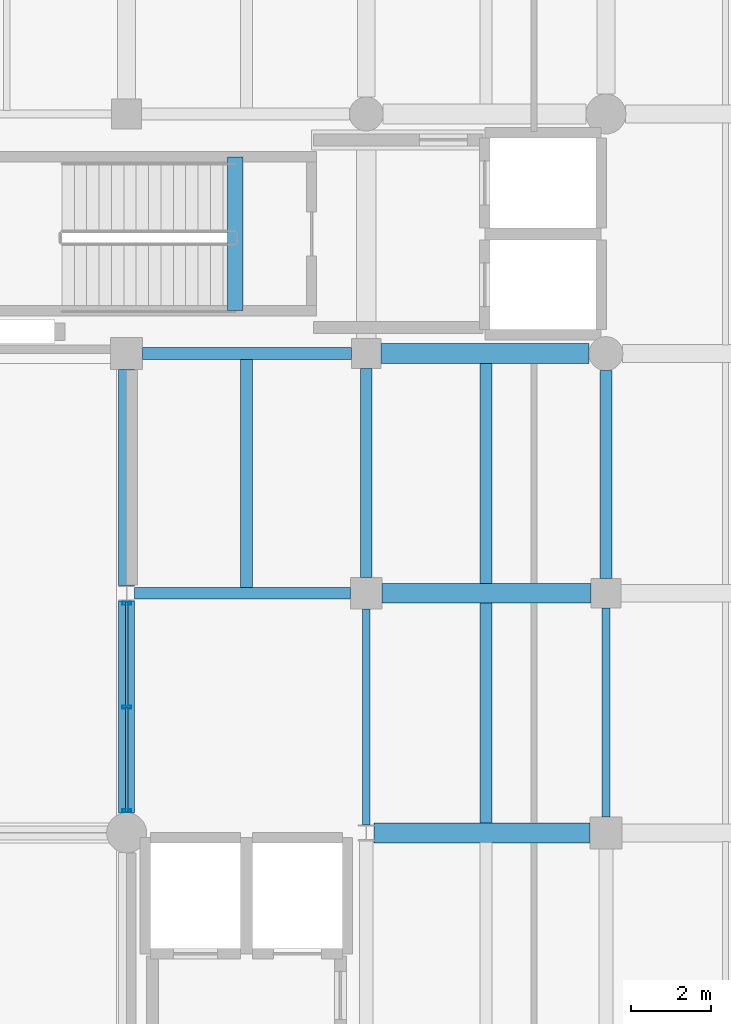
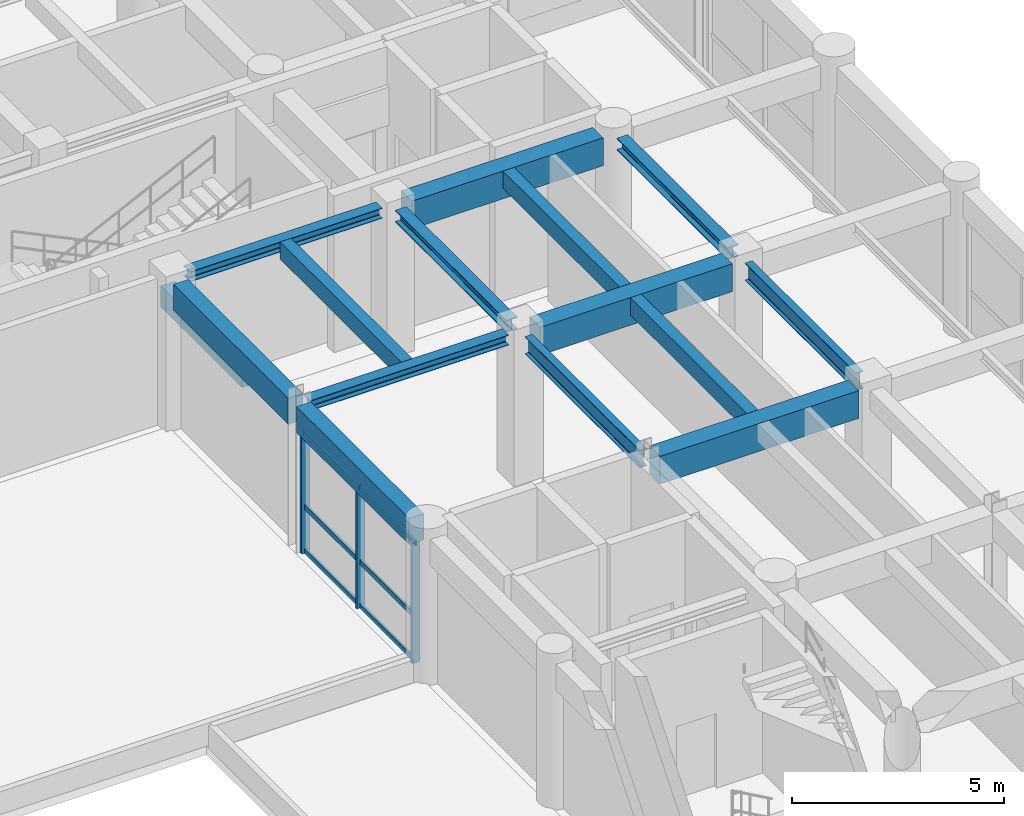
# One storey, part 82 of 133: 15 beams, 9 members, 1 element without a shape of its own.
"""IFC4 building model written with IfcOpenShell, lengths in metres."""

import ifcopenshell
import ifcopenshell.guid

model = None  # the IFC model being written
_history = None  # IfcOwnerHistory: only IFC2X3 demands one
_inside = {}  # id of a spatial element -> (the spatial element, [elements in it])
_under = {}  # id of a project, library or spatial element -> (it, [spatial elements below it])
_declared = {}  # id of a project -> (the project, [libraries it declares])
_typed = {}  # id of a type object -> (the type object, [elements of that type])
_made_of = {}  # id of a material, layer set ... -> (it, [elements and type objects made of it])


def new_model(schema):
    """Start an empty IFC model of exactly this schema.

    Asked for "IFC4X3", IfcOpenShell would pick the latest addendum, in which some entities
    have other attributes; the version numbers below select the first issue.
    IFC2X3 requires an IfcOwnerHistory on every rooted entity: one is made here for all.
    """
    global model, _history
    if schema == "IFC4X3":
        model = ifcopenshell.file(schema_version=(4, 3, 0, 0))
    else:
        model = ifcopenshell.file(schema=schema)
    _inside.clear()
    _under.clear()
    _declared.clear()
    _typed.clear()
    _made_of.clear()
    _history = None
    if model.schema == "IFC2X3":
        org = make("IfcOrganization", Name="unknown")
        user = make(
            "IfcPersonAndOrganization",
            ThePerson=make("IfcPerson", FamilyName="unknown"),
            TheOrganization=org,
        )
        app = make(
            "IfcApplication",
            ApplicationDeveloper=org,
            Version="unknown",
            ApplicationFullName="unknown",
            ApplicationIdentifier="unknown",
        )
        _history = make(
            "IfcOwnerHistory",
            OwningUser=user,
            OwningApplication=app,
            ChangeAction="ADDED",
            CreationDate=0,
        )
    return model


def make(cls, **values):
    """One entity of the class cls with the attributes given. An attribute that is None is left unset."""
    return model.create_entity(
        cls, **{name: value for name, value in values.items() if value is not None}
    )


def rooted(cls, **values):
    """An entity with a GlobalId (a new one), such as an element, a storey or a relation."""
    return make(cls, GlobalId=ifcopenshell.guid.new(), OwnerHistory=_history, **values)


def si_unit(unit_type, name, prefix=None):
    """IfcSIUnit, for example si_unit("LENGTHUNIT", "METRE", prefix="MILLI")."""
    return make("IfcSIUnit", UnitType=unit_type, Prefix=prefix, Name=name)


def assignment(units):
    """IfcUnitAssignment: the units of a project."""
    return None if units is None else make("IfcUnitAssignment", Units=units)


def point(xyz):
    """IfcCartesianPoint."""
    return None if xyz is None else make("IfcCartesianPoint", Coordinates=xyz)


def direction(xyz):
    """IfcDirection."""
    return None if xyz is None else make("IfcDirection", DirectionRatios=xyz)


def frame(location, z_axis=None, x_axis=None):
    """IfcAxis2Placement3D, a coordinate frame: its origin and axes. An axis left out is left unset."""
    return make(
        "IfcAxis2Placement3D",
        Location=point(location),
        Axis=direction(z_axis),
        RefDirection=direction(x_axis),
    )


def frame_2d(location, x_axis=None):
    """IfcAxis2Placement2D, a coordinate frame in the plane: its origin and x axis."""
    return make(
        "IfcAxis2Placement2D", Location=point(location), RefDirection=direction(x_axis)
    )


def origin():
    """The frame at (0, 0, 0) with its axes left unset."""
    return frame((0.0, 0.0, 0.0))


def origin_2d():
    """The frame at (0, 0) in the plane with its x axis left unset."""
    return frame_2d((0.0, 0.0))


def place(relative_to, where):
    """IfcLocalPlacement: puts the frame where relative to a parent placement (None: the world)."""
    return make(
        "IfcLocalPlacement", PlacementRelTo=relative_to, RelativePlacement=where
    )


def context(
    kind, dimensions, precision=None, world=None, true_north=None, identifier=None
):
    """IfcGeometricRepresentationContext, for example the 3D "Model" context."""
    return make(
        "IfcGeometricRepresentationContext",
        ContextIdentifier=identifier,
        ContextType=kind,
        CoordinateSpaceDimension=dimensions,
        Precision=precision,
        WorldCoordinateSystem=world,
        TrueNorth=true_north,
    )


def subcontext(parent, identifier, kind, view, scale=None):
    """IfcGeometricRepresentationSubContext, for example "Body" below "Model"."""
    return make(
        "IfcGeometricRepresentationSubContext",
        ContextIdentifier=identifier,
        ContextType=kind,
        ParentContext=parent,
        TargetScale=scale,
        TargetView=view,
    )


def project(units=None, contexts=None):
    """IfcProject with its units and contexts."""
    return rooted(
        "IfcProject",
        Name="project",
        RepresentationContexts=contexts,
        UnitsInContext=assignment(units),
    )


def spatial(cls, under=None, at=None, **own):
    """A site, building, storey or space (cls), placed at a placement, below another one or the project."""
    s = rooted(cls, ObjectPlacement=at, **own)
    if under is not None:
        _under.setdefault(under.id(), (under, []))[1].append(s)
    return s


def profile(cls, at=None, kind="AREA", **sizes):
    """A parametric profile (cls). Its sizes go by their IFC names, for example OverallWidth=200.0."""
    return make(cls, ProfileType=kind, Position=at, **sizes)


def rectangle(**sizes):
    """IfcRectangleProfileDef."""
    return profile("IfcRectangleProfileDef", **sizes)


def hollow_rectangle(**sizes):
    """IfcRectangleHollowProfileDef."""
    return profile("IfcRectangleHollowProfileDef", **sizes)


def i_section(**sizes):
    """IfcIShapeProfileDef."""
    return profile("IfcIShapeProfileDef", **sizes)


def extrude(swept, where, along, depth):
    """IfcExtrudedAreaSolid: the profile swept, set in the frame where, extruded along a direction by depth."""
    return make(
        "IfcExtrudedAreaSolid",
        SweptArea=swept,
        Position=where,
        ExtrudedDirection=direction(along),
        Depth=depth,
    )


def shape(context_of_items, identifier, shape_type, items):
    """IfcShapeRepresentation: the items that make up one representation, for example the "Body"."""
    return make(
        "IfcShapeRepresentation",
        ContextOfItems=context_of_items,
        RepresentationIdentifier=identifier,
        RepresentationType=shape_type,
        Items=items,
    )


def material(Name=None, Category=None):
    """IfcMaterial."""
    return make("IfcMaterial", Name=Name, Category=Category)


def material_profile(
    of_material, cross_section, Name=None, Category=None, Priority=None
):
    """IfcMaterialProfile: a cross section and its material."""
    return make(
        "IfcMaterialProfile",
        Name=Name,
        Material=of_material,
        Profile=cross_section,
        Priority=Priority,
        Category=Category,
    )


def profile_set(profiles, Name=None, composite=None):
    """IfcMaterialProfileSet."""
    return make(
        "IfcMaterialProfileSet",
        Name=Name,
        MaterialProfiles=profiles,
        CompositeProfile=composite,
    )


def made_of(thing, what):
    """Note that an element or type object is made of a material, layer set ...; save() writes the relation."""
    if what is not None:
        _made_of.setdefault(what.id(), (what, []))[1].append(thing)
    return thing


def type_object(cls, material=None, **own):
    """A type object (cls), such as IfcWallType, which elements share."""
    return made_of(rooted(cls, **own), material)


def element(
    cls,
    number,
    at=None,
    inside=None,
    cuts=None,
    type_object=None,
    material=None,
    context=None,
    identifier="Body",
    shape_type=None,
    held_by="IfcProductDefinitionShape",
    body=None,
    shapes=None,
    **own,
):
    """One element of the class cls, such as IfcWall. Its Tag is "e" and its number.

    at: its placement. inside: the storey or other place that contains it. cuts: it is an
    opening in that element (IfcRelVoidsElement). A single representation is given by context,
    identifier, shape_type and body (its items); several are given by shapes. held_by: the class
    of the entity that holds the representations. save() writes the other relations.
    """
    e = rooted(cls, Tag="e%d" % number, ObjectPlacement=at, **own)
    if body is not None:
        shapes = [shape(context, identifier, shape_type, body)]
    if shapes is not None:
        e.Representation = make(held_by, Representations=shapes)
    if inside is not None:
        _inside.setdefault(inside.id(), (inside, []))[1].append(e)
    if cuts is not None:
        rooted(
            "IfcRelVoidsElement", RelatingBuildingElement=cuts, RelatedOpeningElement=e
        )
    if type_object is not None:
        _typed.setdefault(type_object.id(), (type_object, []))[1].append(e)
    return made_of(e, material)


def aggregate(whole, parts):
    """IfcRelAggregates: a whole, such as a stair, and the parts it consists of."""
    return rooted("IfcRelAggregates", RelatingObject=whole, RelatedObjects=parts)


def save(model, path):
    """Write the relations noted so far, then the file.

    IfcRelAggregates (storeys below a building ...), IfcRelContainedInSpatialStructure (elements
    in a storey), IfcRelDefinesByType, IfcRelAssociatesMaterial and IfcRelDeclares: one each for
    every whole, place, type object, material and project.
    """
    for whole, parts in _under.values():
        aggregate(whole, parts)
    for where, things in _inside.values():
        rooted(
            "IfcRelContainedInSpatialStructure",
            RelatedElements=things,
            RelatingStructure=where,
        )
    for kind, things in _typed.values():
        rooted("IfcRelDefinesByType", RelatedObjects=things, RelatingType=kind)
    for what, things in _made_of.values():
        rooted("IfcRelAssociatesMaterial", RelatedObjects=things, RelatingMaterial=what)
    for by, libraries in _declared.values():
        rooted("IfcRelDeclares", RelatingContext=by, RelatedDefinitions=libraries)
    model.write(path)


model = new_model("IFC4")

# Units and contexts
model_context = context("Model", 3, precision=1e-05, world=origin(), true_north=direction((0.0, 1.0)))
body_context = subcontext(model_context, "Body", "Model", "MODEL_VIEW")
ifc_project = project(units=[si_unit("LENGTHUNIT", "METRE"), si_unit("AREAUNIT", "SQUARE_METRE"), si_unit("VOLUMEUNIT", "CUBIC_METRE"), si_unit("PLANEANGLEUNIT", "RADIAN"), si_unit("MASSUNIT", "GRAM", prefix="KILO"), si_unit("THERMODYNAMICTEMPERATUREUNIT", "KELVIN"), si_unit("POWERUNIT", "WATT")], contexts=[model_context])

# Site, building, storey
site_placement = place(None, origin())
site = spatial("IfcSite", under=ifc_project, at=site_placement, CompositionType="ELEMENT")
building_placement = place(site_placement, origin())
building = spatial("IfcBuilding", under=site, at=building_placement, Name="Phaisarnlok Congress Hotel", CompositionType="ELEMENT")
storey_placement = place(building_placement, frame((0.0, 0.0, 6.0)))
storey = spatial("IfcBuildingStorey", under=building, at=storey_placement, Name="L01", CompositionType="ELEMENT", Elevation=6.0)

# Beams
ifc_material_1 = material(Name="Concrete C40/50", Category="concrete")
ifc_material_profile_1 = material_profile(ifc_material_1, rectangle(XDim=0.39990234375, YDim=0.60009765625, at=origin_2d()), Name="RC 400x600")
ifc_profile_set_1 = profile_set([ifc_material_profile_1], Name="Concrete C40/50")
beam_type_1 = type_object("IfcBeamType", Name="BM-RC-400x600", PredefinedType="BEAM", material=ifc_profile_set_1)
beam_1_placement = place(storey_placement, frame((164.719970703125, 109.080078125, -0.300048828125), z_axis=(0.0, 1.0, 0.0), x_axis=(-1.0, 0.0, 0.0)))
element("IfcBeam", 1, at=beam_1_placement, inside=storey, type_object=beam_type_1, Name="Stair landing header beam B-02 (CORE-1 L01)", PredefinedType="BEAM", context=body_context, shape_type="SweptSolid", body=[
    extrude(rectangle(XDim=0.39990234375, YDim=0.60009765625, at=origin_2d()), origin(), (0.0, 0.0, 1.0), 3.83984375),
])
ifc_material_profile_2 = material_profile(ifc_material_1, rectangle(XDim=0.5, YDim=0.800048828125, at=origin_2d()), Name="RC 500x800")
ifc_profile_set_2 = profile_set([ifc_material_profile_2], Name="Concrete C40/50")
beam_type_2 = type_object("IfcBeamType", Name="BM-RC-500x800", PredefinedType="BEAM", material=ifc_profile_set_2)
beam_2_placement = place(storey_placement, frame((168.195556640625, 96.0, 3.820068359375), z_axis=(1.0, 0.0, 0.0), x_axis=(0.0, 1.0, 0.0)))
element("IfcBeam", 2, at=beam_2_placement, inside=storey, type_object=beam_type_2, Name="Beam B-04", PredefinedType="BEAM", context=body_context, shape_type="SweptSolid", body=[
    extrude(rectangle(XDim=0.5, YDim=0.800048828125, at=origin_2d()), origin(), (0.0, 0.0, 1.0), 5.409423828125),
])
beam_3_placement = place(storey_placement, frame((168.39501953125, 102.0, 3.820068359375), z_axis=(1.0, 0.0, 0.0), x_axis=(0.0, 1.0, 0.0)))
element("IfcBeam", 3, at=beam_3_placement, inside=storey, type_object=beam_type_2, Name="Beam B-04", PredefinedType="BEAM", context=body_context, shape_type="SweptSolid", body=[
    extrude(rectangle(XDim=0.5, YDim=0.800048828125, at=origin_2d()), origin(), (0.0, 0.0, 1.0), 5.23486328125),
])
beam_4_placement = place(storey_placement, frame((168.3701171875, 108.0, 3.820068359375), z_axis=(1.0, 0.0, 0.0), x_axis=(0.0, 1.0, 0.0)))
element("IfcBeam", 4, at=beam_4_placement, inside=storey, type_object=beam_type_2, Name="Beam B-04", PredefinedType="BEAM", context=body_context, shape_type="SweptSolid", body=[
    extrude(rectangle(XDim=0.5, YDim=0.800048828125, at=origin_2d()), origin(), (0.0, 0.0, 1.0), 5.2099609375),
])
ifc_material_2 = material(Name="Steel S355", Category="steel")
ifc_material_profile_3 = material_profile(ifc_material_2, i_section(OverallWidth=0.300048828125, OverallDepth=0.2900390625, WebThickness=0.008544921875, FlangeThickness=0.013916015625, FilletRadius=0.027099609375, at=origin_2d()), Name="HEA 300")
ifc_profile_set_3 = profile_set([ifc_material_profile_3], Name="Steel S355")
beam_type_3 = type_object("IfcBeamType", Name="BM-STL-HEA300", PredefinedType="BEAM", material=ifc_profile_set_3)
beam_5_placement = place(storey_placement, frame((162.195556640625, 102.0, 4.074951171875), z_axis=(1.0, 0.0, 0.0), x_axis=(0.0, 1.0, 0.0)))
element("IfcBeam", 5, at=beam_5_placement, inside=storey, type_object=beam_type_3, Name="Beam SB-05", PredefinedType="BEAM", context=body_context, shape_type="SweptSolid", body=[
    extrude(i_section(OverallWidth=0.300048828125, OverallDepth=0.2900390625, WebThickness=0.008544921875, FlangeThickness=0.013916015625, FilletRadius=0.027099609375, at=origin_2d()), origin(), (0.0, 0.0, 1.0), 5.409423828125),
])
beam_6_placement = place(storey_placement, frame((162.39501953125, 108.0, 4.074951171875), z_axis=(1.0, 0.0, 0.0), x_axis=(0.0, 1.0, 0.0)))
element("IfcBeam", 6, at=beam_6_placement, inside=storey, type_object=beam_type_3, Name="Beam SB-05", PredefinedType="BEAM", context=body_context, shape_type="SweptSolid", body=[
    extrude(i_section(OverallWidth=0.300048828125, OverallDepth=0.2900390625, WebThickness=0.008544921875, FlangeThickness=0.013916015625, FilletRadius=0.027099609375, at=origin_2d()), origin(), (0.0, 0.0, 1.0), 5.23486328125),
])
ifc_material_profile_4 = material_profile(ifc_material_2, i_section(OverallWidth=0.300048828125, OverallDepth=0.340087890625, WebThickness=0.011962890625, FlangeThickness=0.021484375, FilletRadius=0.027099609375, at=origin_2d()), Name="HEB 340")
ifc_profile_set_4 = profile_set([ifc_material_profile_4], Name="Steel S355")
beam_type_4 = type_object("IfcBeamType", Name="BM-STL-HEB340", PredefinedType="BEAM", material=ifc_profile_set_4)
beam_7_placement = place(storey_placement, frame((168.0, 102.39501953125, 4.050048828125), z_axis=(0.0, 1.0, 0.0), x_axis=(-1.0, 0.0, 0.0)))
element("IfcBeam", 7, at=beam_7_placement, inside=storey, type_object=beam_type_4, Name="Beam SB-07", PredefinedType="BEAM", context=body_context, shape_type="SweptSolid", body=[
    extrude(i_section(OverallWidth=0.300048828125, OverallDepth=0.340087890625, WebThickness=0.011962890625, FlangeThickness=0.021484375, FilletRadius=0.027099609375, at=origin_2d()), origin(), (0.0, 0.0, 1.0), 5.23486328125),
])
beam_8_placement = place(storey_placement, frame((174.0, 102.3701171875, 4.050048828125), z_axis=(0.0, 1.0, 0.0), x_axis=(-1.0, 0.0, 0.0)))
element("IfcBeam", 8, at=beam_8_placement, inside=storey, type_object=beam_type_4, Name="Beam SB-07", PredefinedType="BEAM", context=body_context, shape_type="SweptSolid", body=[
    extrude(i_section(OverallWidth=0.300048828125, OverallDepth=0.340087890625, WebThickness=0.011962890625, FlangeThickness=0.021484375, FilletRadius=0.027099609375, at=origin_2d()), origin(), (0.0, 0.0, 1.0), 5.2099609375),
])
ifc_material_profile_5 = material_profile(ifc_material_2, i_section(OverallWidth=0.199951171875, OverallDepth=0.5, WebThickness=0.01025390625, FlangeThickness=0.01611328125, FilletRadius=0.02099609375, at=origin_2d()), Name="IPE 500")
ifc_profile_set_5 = profile_set([ifc_material_profile_5], Name="Steel S355")
beam_type_5 = type_object("IfcBeamType", Name="BM-STL-IPE500", PredefinedType="BEAM", material=ifc_profile_set_5)
beam_9_placement = place(storey_placement, frame((168.0, 96.194580078125, 3.969970703125), z_axis=(0.0, 1.0, 0.0), x_axis=(-1.0, 0.0, 0.0)))
element("IfcBeam", 9, at=beam_9_placement, inside=storey, type_object=beam_type_5, Name="Beam SB-02", PredefinedType="BEAM", context=body_context, shape_type="SweptSolid", body=[
    extrude(i_section(OverallWidth=0.199951171875, OverallDepth=0.5, WebThickness=0.01025390625, FlangeThickness=0.01611328125, FilletRadius=0.02099609375, at=origin_2d()), origin(), (0.0, 0.0, 1.0), 5.410400390625),
])
beam_10_placement = place(storey_placement, frame((174.0, 96.39501953125, 3.969970703125), z_axis=(0.0, 1.0, 0.0), x_axis=(-1.0, 0.0, 0.0)))
element("IfcBeam", 10, at=beam_10_placement, inside=storey, type_object=beam_type_5, Name="Beam SB-02", PredefinedType="BEAM", context=body_context, shape_type="SweptSolid", body=[
    extrude(i_section(OverallWidth=0.199951171875, OverallDepth=0.5, WebThickness=0.01025390625, FlangeThickness=0.01611328125, FilletRadius=0.02099609375, at=origin_2d()), origin(), (0.0, 0.0, 1.0), 5.23486328125),
])

# Curtain wall, members
ifc_material_3 = material(Name="Thermally Broken Unitised Aluminium & Low-E Glazing", Category="aluminium")
curtain_wall_type = type_object("IfcCurtainWallType", Name="CW-UNIT-13", PredefinedType="NOTDEFINED", material=ifc_material_3)
curtain_wall_placement = place(storey_placement, origin())
curtain_wall = element("IfcCurtainWall", 11, at=curtain_wall_placement, inside=storey, type_object=curtain_wall_type, Name="Unitised curtain wall CW-13 (L01)", PredefinedType="NOTDEFINED")
ifc_material_4 = material(Name="Anodised Aluminium Alloy 6063-T6", Category="aluminium")
ifc_material_profile_6 = material_profile(ifc_material_4, hollow_rectangle(XDim=0.074951171875, YDim=0.219970703125, WallThickness=0.0048828125, at=origin_2d()), Name="ALU-M 75x220x5")
ifc_profile_set_6 = profile_set([ifc_material_profile_6], Name="Anodised Aluminium Alloy 6063-T6")
member_type_1 = type_object("IfcMemberType", Name="CWM-220", PredefinedType="MULLION", material=ifc_profile_set_6)
member_1_placement = place(storey_placement, frame((162.0, 101.75048828125, 0.0), z_axis=(0.0, 0.0, 1.0), x_axis=(0.0, -1.0, 0.0)))
member_1 = element("IfcMember", 12, at=member_1_placement, type_object=member_type_1, Name="Curtain wall mullion CWM-02", PredefinedType="MULLION", context=body_context, shape_type="SweptSolid", body=[
    extrude(hollow_rectangle(XDim=0.074951171875, YDim=0.219970703125, WallThickness=0.0048828125, at=origin_2d()), origin(), (0.0, 0.0, 1.0), 3.469970703125),
])
member_2_placement = place(storey_placement, frame((162.0, 99.150146484375, 0.0), z_axis=(0.0, 0.0, 1.0), x_axis=(0.0, -1.0, 0.0)))
member_2 = element("IfcMember", 13, at=member_2_placement, type_object=member_type_1, Name="Curtain wall mullion CWM-02", PredefinedType="MULLION", context=body_context, shape_type="SweptSolid", body=[
    extrude(hollow_rectangle(XDim=0.074951171875, YDim=0.219970703125, WallThickness=0.0048828125, at=origin_2d()), origin(), (0.0, 0.0, 1.0), 3.469970703125),
])
member_3_placement = place(storey_placement, frame((162.0, 96.550048828125, 0.0), z_axis=(0.0, 0.0, 1.0), x_axis=(0.0, -1.0, 0.0)))
member_3 = element("IfcMember", 14, at=member_3_placement, type_object=member_type_1, Name="Curtain wall mullion CWM-02", PredefinedType="MULLION", context=body_context, shape_type="SweptSolid", body=[
    extrude(hollow_rectangle(XDim=0.074951171875, YDim=0.219970703125, WallThickness=0.0048828125, at=origin_2d()), origin(), (0.0, 0.0, 1.0), 3.469970703125),
])
ifc_material_profile_7 = material_profile(ifc_material_4, hollow_rectangle(XDim=0.06494140625, YDim=0.139892578125, WallThickness=0.00390625, at=origin_2d()), Name="ALU-T 65x140x4")
ifc_profile_set_7 = profile_set([ifc_material_profile_7], Name="Anodised Aluminium Alloy 6063-T6")
member_type_2 = type_object("IfcMemberType", Name="CWT-150", PredefinedType="USERDEFINED", material=ifc_profile_set_7)
member_4_placement = place(storey_placement, frame((162.0, 101.775390625, 0.050048828125), z_axis=(0.0, -1.0, 0.0), x_axis=(1.0, 0.0, 0.0)))
member_4 = element("IfcMember", 15, at=member_4_placement, type_object=member_type_2, Name="Curtain wall transom CWT-01", ObjectType="TRANSOM", PredefinedType="USERDEFINED", context=body_context, shape_type="SweptSolid", body=[
    extrude(hollow_rectangle(XDim=0.06494140625, YDim=0.139892578125, WallThickness=0.00390625, at=origin_2d()), origin(), (0.0, 0.0, 1.0), 2.610107421875),
])
member_5_placement = place(storey_placement, frame((162.0, 101.775390625, 1.318603515625), z_axis=(0.0, -1.0, 0.0), x_axis=(1.0, 0.0, 0.0)))
member_5 = element("IfcMember", 16, at=member_5_placement, type_object=member_type_2, Name="Curtain wall transom CWT-01", ObjectType="TRANSOM", PredefinedType="USERDEFINED", context=body_context, shape_type="SweptSolid", body=[
    extrude(hollow_rectangle(XDim=0.06494140625, YDim=0.139892578125, WallThickness=0.00390625, at=origin_2d()), origin(), (0.0, 0.0, 1.0), 2.610107421875),
])
member_6_placement = place(storey_placement, frame((162.0, 101.775390625, 3.419921875), z_axis=(0.0, -1.0, 0.0), x_axis=(1.0, 0.0, 0.0)))
member_6 = element("IfcMember", 17, at=member_6_placement, type_object=member_type_2, Name="Curtain wall transom CWT-01", ObjectType="TRANSOM", PredefinedType="USERDEFINED", context=body_context, shape_type="SweptSolid", body=[
    extrude(hollow_rectangle(XDim=0.06494140625, YDim=0.139892578125, WallThickness=0.00390625, at=origin_2d()), origin(), (0.0, 0.0, 1.0), 2.610107421875),
])
member_7_placement = place(storey_placement, frame((162.0, 99.13525390625, 0.050048828125), z_axis=(0.0, -1.0, 0.0), x_axis=(1.0, 0.0, 0.0)))
member_7 = element("IfcMember", 18, at=member_7_placement, type_object=member_type_2, Name="Curtain wall transom CWT-01", ObjectType="TRANSOM", PredefinedType="USERDEFINED", context=body_context, shape_type="SweptSolid", body=[
    extrude(hollow_rectangle(XDim=0.06494140625, YDim=0.139892578125, WallThickness=0.00390625, at=origin_2d()), origin(), (0.0, 0.0, 1.0), 2.6103515625),
])
member_8_placement = place(storey_placement, frame((162.0, 99.13525390625, 1.318603515625), z_axis=(0.0, -1.0, 0.0), x_axis=(1.0, 0.0, 0.0)))
member_8 = element("IfcMember", 19, at=member_8_placement, type_object=member_type_2, Name="Curtain wall transom CWT-01", ObjectType="TRANSOM", PredefinedType="USERDEFINED", context=body_context, shape_type="SweptSolid", body=[
    extrude(hollow_rectangle(XDim=0.06494140625, YDim=0.139892578125, WallThickness=0.00390625, at=origin_2d()), origin(), (0.0, 0.0, 1.0), 2.6103515625),
])
member_9_placement = place(storey_placement, frame((162.0, 99.13525390625, 3.419921875), z_axis=(0.0, -1.0, 0.0), x_axis=(1.0, 0.0, 0.0)))
member_9 = element("IfcMember", 20, at=member_9_placement, type_object=member_type_2, Name="Curtain wall transom CWT-01", ObjectType="TRANSOM", PredefinedType="USERDEFINED", context=body_context, shape_type="SweptSolid", body=[
    extrude(hollow_rectangle(XDim=0.06494140625, YDim=0.139892578125, WallThickness=0.00390625, at=origin_2d()), origin(), (0.0, 0.0, 1.0), 2.6103515625),
])
aggregate(curtain_wall, [member_1, member_2, member_3, member_4, member_5, member_6, member_7, member_8, member_9])

# Beams
ifc_material_profile_8 = material_profile(ifc_material_1, rectangle(XDim=0.300048828125, YDim=0.5, at=origin_2d()), Name="RC 300x500")
ifc_profile_set_8 = profile_set([ifc_material_profile_8], Name="Concrete C40/50")
beam_type_6 = type_object("IfcBeamType", Name="JS-RC-300x500", PredefinedType="JOIST", material=ifc_profile_set_8)
beam_11_placement = place(storey_placement, frame((165.0, 102.14501953125, 3.969970703125), z_axis=(0.0, 1.0, 0.0), x_axis=(-1.0, 0.0, 0.0)))
element("IfcBeam", 21, at=beam_11_placement, inside=storey, type_object=beam_type_6, Name="Secondary floor joist J-01", PredefinedType="JOIST", context=body_context, shape_type="SweptSolid", body=[
    extrude(rectangle(XDim=0.300048828125, YDim=0.5, at=origin_2d()), origin(), (0.0, 0.0, 1.0), 5.7099609375),
])
for number, where, z_axis, x_axis, name in (
    (22, (171.0, 96.2451171875, 3.969970703125), (0.0, 1.0, 0.0), (-1.0, 0.0, 0.0), "Secondary floor joist J-01"),
    (23, (171.0, 102.2451171875, 3.969970703125), (0.0, 1.0, 0.0), (-1.0, 0.0, 0.0), "Secondary floor joist J-01"),
):
    element("IfcBeam", number, at=place(storey_placement, frame(where, z_axis=z_axis, x_axis=x_axis)), inside=storey, type_object=beam_type_6, Name=name, PredefinedType="JOIST", context=body_context, shape_type="SweptSolid", body=[
        extrude(rectangle(XDim=0.300048828125, YDim=0.5, at=origin_2d()), origin(), (0.0, 0.0, 1.0), 5.509765625),
    ])
ifc_material_profile_9 = material_profile(ifc_material_1, rectangle(XDim=0.39990234375, YDim=0.75, at=origin_2d()), Name="RC 400x750")
ifc_profile_set_9 = profile_set([ifc_material_profile_9], Name="Concrete C40/50")
beam_type_7 = type_object("IfcBeamType", Name="SP-RC-400x750", PredefinedType="SPANDREL", material=ifc_profile_set_9)
beam_12_placement = place(storey_placement, frame((162.0, 96.4951171875, 3.844970703125), z_axis=(0.0, 1.0, 0.0), x_axis=(-1.0, 0.0, 0.0)))
element("IfcBeam", 24, at=beam_12_placement, inside=storey, type_object=beam_type_7, Name="Beam SP-02", PredefinedType="SPANDREL", context=body_context, shape_type="SweptSolid", body=[
    extrude(rectangle(XDim=0.39990234375, YDim=0.75, at=origin_2d()), origin(), (0.0, 0.0, 1.0), 5.310302734375),
])
beam_13_placement = place(storey_placement, frame((162.0, 102.194580078125, 3.844970703125), z_axis=(0.0, 1.0, 0.0), x_axis=(-1.0, 0.0, 0.0)))
element("IfcBeam", 25, at=beam_13_placement, inside=storey, type_object=beam_type_7, Name="Beam SP-02", PredefinedType="SPANDREL", context=body_context, shape_type="SweptSolid", body=[
    extrude(rectangle(XDim=0.39990234375, YDim=0.75, at=origin_2d()), origin(), (0.0, 0.0, 1.0), 5.410400390625),
])

save(model, "model.ifc")
